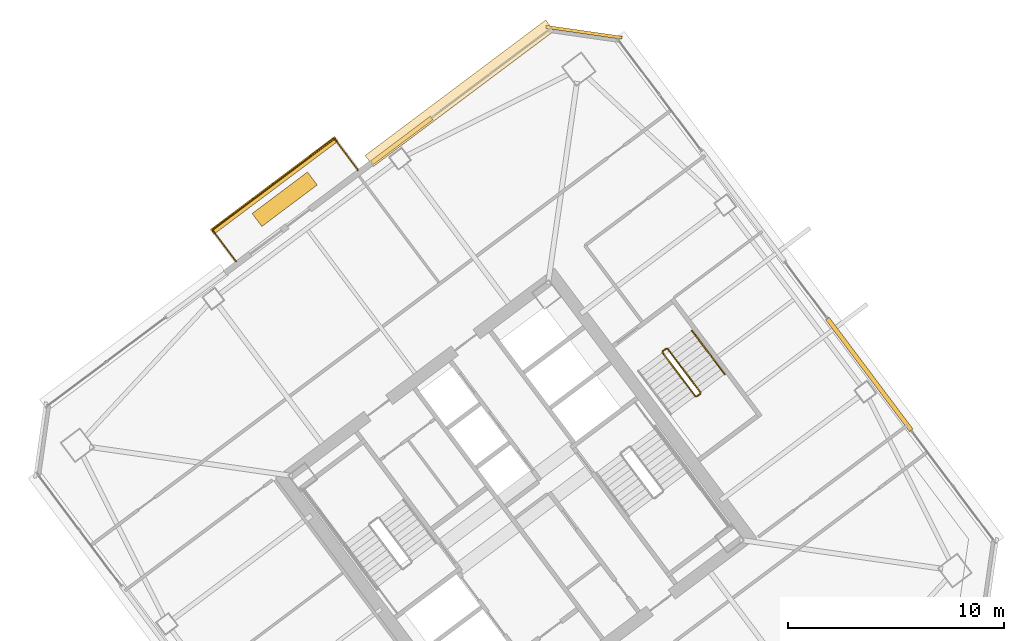
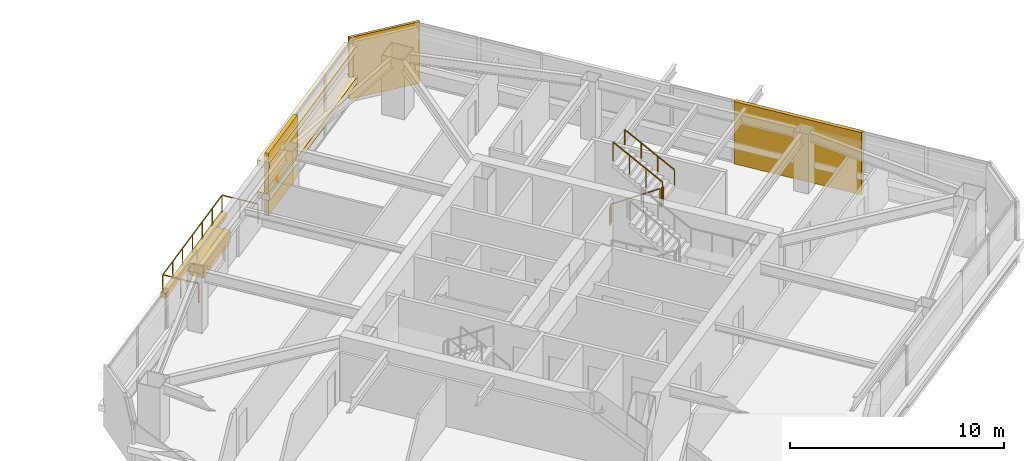
# One storey, part 43 of 44: 8 railings, 7 coverings.
"""IFC4 building model written with IfcOpenShell, lengths in metres."""

from ifc_helpers import new_model, si_unit, direction, frame, origin, origin_2d, place, context, subcontext, project, spatial, rectangle, extrude, material, layer, layer_set, type_object, element, save


model = new_model("IFC4")

# Units and contexts
model_context = context("Model", 3, precision=1e-05, world=origin(), true_north=direction((0.0, 1.0)))
body_context = subcontext(model_context, "Body", "Model", "MODEL_VIEW")
ifc_project = project(units=[si_unit("LENGTHUNIT", "METRE"), si_unit("AREAUNIT", "SQUARE_METRE"), si_unit("VOLUMEUNIT", "CUBIC_METRE"), si_unit("PLANEANGLEUNIT", "RADIAN"), si_unit("MASSUNIT", "GRAM", prefix="KILO")], contexts=[model_context])

# Site, building, storey
site_placement = place(None, origin())
site = spatial("IfcSite", under=ifc_project, at=site_placement, CompositionType="ELEMENT")
building_placement = place(site_placement, origin())
building = spatial("IfcBuilding", under=site, at=building_placement, Name="Tashvorn Skyway Center", CompositionType="ELEMENT")
storey_placement = place(building_placement, frame((0.0, 0.0, 181.85009765625)))
storey = spatial("IfcBuildingStorey", under=building, at=storey_placement, Name="L49", CompositionType="ELEMENT", Elevation=181.85009765625)

# Coverings
ifc_material_1 = material(Name="Precast concrete C40/50", Category="concrete")
ifc_layer_1 = layer(ifc_material_1, 0.199951171875)
ifc_layer_set_1 = layer_set([ifc_layer_1], Name="Precast concrete C40/50")
covering_type_1 = type_object("IfcCoveringType", Name="COV-BRACE-CLAD", PredefinedType="CLADDING", material=ifc_layer_set_1)
covering_1_placement = place(storey_placement, frame((108.709228515625, 49.007080078125, 0.0), z_axis=(0.0, 0.0, 1.0), x_axis=(0.799999996291, 0.600000004945, 0.0)))
element("IfcCovering", 1, at=covering_1_placement, inside=storey, type_object=covering_type_1, Name="Tower 2 L49 North Curtain Wall R Mega-Brace Cladding Band 1", PredefinedType="CLADDING", context=body_context, shape_type="SweptSolid", body=[
    extrude(rectangle(XDim=3.443359375, YDim=0.199951171875, at=origin_2d()), origin(), (0.0, 0.0, 1.0), 3.550048828125),
])
covering_2_placement = place(storey_placement, frame((130.340087890625, 38.179931640625, 0.0), z_axis=(0.0, 0.0, 1.0), x_axis=(0.600000004945, -0.799999996291, 0.0)))
element("IfcCovering", 2, at=covering_2_placement, inside=storey, type_object=covering_type_1, Name="Tower 2 L49 East Unitised Curtain Wall Mega-Brace Cladding Band 2", PredefinedType="CLADDING", context=body_context, shape_type="SweptSolid", body=[
    extrude(rectangle(XDim=6.47998046875, YDim=0.199951171875, at=origin_2d()), origin(), (0.0, 0.0, 1.0), 3.550048828125),
])
ifc_material_2 = material(Name="Perforated ceramic-coated bronze aluminium solar screen", Category="aluminium")
ifc_layer_2 = layer(ifc_material_2, 0.85009765625)
ifc_layer_set_2 = layer_set([ifc_layer_2], Name="Perforated ceramic-coated bronze aluminium solar screen")
covering_type_2 = type_object("IfcCoveringType", Name="COV-SOLAR-BAND", PredefinedType="CLADDING", material=ifc_layer_set_2)
for number, where, z_axis, x_axis, name in (
    (3, (111.3798828125, 51.18505859375, 0.919921875), (0.0, 0.0, 1.0), (0.799999996291, 0.600000004945, 0.0), "L49 Perforated Ceramic-Metal Solar Screen Louvre Band North 1"),
    (4, (111.3798828125, 51.18505859375, 2.7197265625), (0.0, 0.0, 1.0), (0.799999996291, 0.600000004945, 0.0), "L49 Perforated Ceramic-Metal Solar Screen Louvre Band North 2"),
):
    element("IfcCovering", number, at=place(storey_placement, frame(where, z_axis=z_axis, x_axis=x_axis)), inside=storey, type_object=covering_type_2, Name=name, PredefinedType="CLADDING", context=body_context, shape_type="SweptSolid", body=[
        extrude(rectangle(XDim=10.449951171875, YDim=0.639892578125, at=origin_2d()), origin(), (0.0, 0.0, 1.0), 0.360107421875),
    ])
ifc_layer_3 = layer(ifc_material_1, 0.35009765625)
ifc_layer_set_3 = layer_set([ifc_layer_3], Name="Precast concrete C40/50")
covering_type_3 = type_object("IfcCoveringType", Name="COV-STONE-TRIM", PredefinedType="CLADDING", material=ifc_layer_set_3)
covering_3_placement = place(storey_placement, frame((102.803955078125, 46.927978515625, -0.16015625), z_axis=(0.0, 0.0, 1.0), x_axis=(0.799999996291, 0.600000004945, 0.0)))
element("IfcCovering", 5, at=covering_3_placement, inside=storey, type_object=covering_type_3, Name="Tower 2 L49 Spiral Terrace Terracotta Fascia", PredefinedType="CLADDING", context=body_context, shape_type="SweptSolid", body=[
    extrude(rectangle(XDim=7.199951171875, YDim=0.280029296875, at=origin_2d()), origin(), (0.0, 0.0, 1.0), 0.280029296875),
])
covering_4_placement = place(storey_placement, frame((103.2900390625, 46.280029296875, 0.0), z_axis=(0.0, 0.0, 1.0), x_axis=(0.799999996291, 0.600000004945, 0.0)))
element("IfcCovering", 6, at=covering_4_placement, inside=storey, type_object=covering_type_3, Name="Tower 2 L49 Spiral Terrace Planter", PredefinedType="CLADDING", context=body_context, shape_type="SweptSolid", body=[
    extrude(rectangle(XDim=3.199951171875, YDim=0.75, at=origin_2d()), origin(), (0.0, 0.0, 1.0), 0.679931640625),
])
covering_5_placement = place(storey_placement, frame((117.14404296875, 54.008056640625, 0.02001953125), z_axis=(0.0, 0.0, 1.0), x_axis=(0.989949494535, -0.141421350118, 0.0)))
element("IfcCovering", 7, at=covering_5_placement, inside=storey, type_object=covering_type_3, Name="Tower 2 L49 NE Mojave Limestone Corner Quoin", PredefinedType="CLADDING", context=body_context, shape_type="SweptSolid", body=[
    extrude(rectangle(XDim=3.55419921875, YDim=0.139892578125, at=origin_2d()), origin(), (0.0, 0.0, 1.0), 3.510009765625),
])

# Railings
ifc_material_3 = material(Name="Galvanized steel S355", Category="steel")
railing_type_1 = type_object("IfcRailingType", Name="RAIL-GUARD-1120", PredefinedType="GUARDRAIL", material=ifc_material_3)
railing_1_placement = place(storey_placement, frame((101.0439453125, 43.407958984375, 0.0)))
element("IfcRailing", 8, at=railing_1_placement, inside=storey, type_object=railing_type_1, Name="L49 Tower 2 Terrace Guardrail 01", PredefinedType="GUARDRAIL", context=body_context, shape_type="SweptSolid", body=[
    extrude(rectangle(XDim=0.048095703125, YDim=0.048095703125, at=origin_2d()), frame((0.0, 0.0, 1.09619140625), z_axis=(-0.6, 0.8, 0.0), x_axis=(-0.8, -0.6, 0.0)), (0.0, 0.0, 1.0), 1.820068359375),
    extrude(rectangle(XDim=0.0419921875, YDim=0.0419921875, at=origin_2d()), origin(), (0.0, 0.0, 1.0), 1.072021484375),
    extrude(rectangle(XDim=0.0419921875, YDim=0.0419921875, at=origin_2d()), frame((-0.5458984375, 0.72802734375, 0.0)), (0.0, 0.0, 1.0), 1.072021484375),
    extrude(rectangle(XDim=0.0419921875, YDim=0.0419921875, at=origin_2d()), frame((-1.092041015625, 1.4560546875, 0.0)), (0.0, 0.0, 1.0), 1.072021484375),
])
railing_2_placement = place(storey_placement, frame((99.951904296875, 44.864013671875, 0.0)))
element("IfcRailing", 9, at=railing_2_placement, inside=storey, type_object=railing_type_1, Name="L49 Tower 2 Terrace Guardrail 02", PredefinedType="GUARDRAIL", context=body_context, shape_type="SweptSolid", body=[
    extrude(rectangle(XDim=0.048095703125, YDim=0.048095703125, at=origin_2d()), frame((0.0, 0.0, 1.09619140625), z_axis=(0.800012484308, 0.599983353895, 0.0), x_axis=(-0.599983353895, 0.800012484308, 0.0)), (0.0, 0.0, 1.0), 7.0400390625),
    extrude(rectangle(XDim=0.0419921875, YDim=0.0419921875, at=origin_2d()), origin(), (0.0, 0.0, 1.0), 1.072021484375),
    extrude(rectangle(XDim=0.0419921875, YDim=0.0419921875, at=origin_2d()), frame((0.938720703125, 0.7041015625, 0.0)), (0.0, 0.0, 1.0), 1.072021484375),
    extrude(rectangle(XDim=0.0419921875, YDim=0.0419921875, at=origin_2d()), frame((1.87744140625, 1.407958984375, 0.0)), (0.0, 0.0, 1.0), 1.072021484375),
    extrude(rectangle(XDim=0.0419921875, YDim=0.0419921875, at=origin_2d()), frame((2.81591796875, 2.11181640625, 0.0)), (0.0, 0.0, 1.0), 1.072021484375),
    extrude(rectangle(XDim=0.0419921875, YDim=0.0419921875, at=origin_2d()), frame((3.754638671875, 2.81591796875, 0.0)), (0.0, 0.0, 1.0), 1.072021484375),
    extrude(rectangle(XDim=0.0419921875, YDim=0.0419921875, at=origin_2d()), frame((4.693359375, 3.52001953125, 0.0)), (0.0, 0.0, 1.0), 1.072021484375),
    extrude(rectangle(XDim=0.0419921875, YDim=0.0419921875, at=origin_2d()), frame((5.632080078125, 4.223876953125, 0.0)), (0.0, 0.0, 1.0), 1.072021484375),
])
railing_3_placement = place(storey_placement, frame((105.583984375, 49.087890625, 0.0)))
element("IfcRailing", 10, at=railing_3_placement, inside=storey, type_object=railing_type_1, Name="L49 Tower 2 Terrace Guardrail 03", PredefinedType="GUARDRAIL", context=body_context, shape_type="SweptSolid", body=[
    extrude(rectangle(XDim=0.048095703125, YDim=0.048095703125, at=origin_2d()), frame((0.0, 0.0, 1.09619140625), z_axis=(0.600064391284, -0.799951702488, 0.0), x_axis=(0.799951702488, 0.600064391284, 0.0)), (0.0, 0.0, 1.0), 1.81982421875),
    extrude(rectangle(XDim=0.0419921875, YDim=0.0419921875, at=origin_2d()), origin(), (0.0, 0.0, 1.0), 1.072021484375),
    extrude(rectangle(XDim=0.0419921875, YDim=0.0419921875, at=origin_2d()), frame((0.5458984375, -0.72802734375, 0.0)), (0.0, 0.0, 1.0), 1.072021484375),
    extrude(rectangle(XDim=0.0419921875, YDim=0.0419921875, at=origin_2d()), frame((1.092041015625, -1.455810546875, 0.0)), (0.0, 0.0, 1.0), 1.072021484375),
])
ifc_material_4 = material(Name="Brushed stainless steel 316", Category="steel")
railing_type_2 = type_object("IfcRailingType", Name="RAIL-HAND-920", PredefinedType="HANDRAIL", material=ifc_material_4)
railing_4_placement = place(storey_placement, frame((123.64794921875, 38.18603515625, 1.952392578125)))
element("IfcRailing", 11, at=railing_4_placement, inside=storey, type_object=railing_type_2, Name="L49 ST-T2-3 stair handrail 2", PredefinedType="HANDRAIL", context=body_context, shape_type="SweptSolid", body=[
    extrude(rectangle(XDim=0.048095703125, YDim=0.048095703125, at=origin_2d()), frame((0.0, 0.0, 0.8759765625), z_axis=(-0.506768818287, 0.675664481285, 0.535409071218), x_axis=(-0.79998837352, -0.60001550166, 0.0)), (0.0, 0.0, 1.0), 2.983642578125),
    extrude(rectangle(XDim=0.0419921875, YDim=0.0419921875, at=origin_2d()), origin(), (0.0, 0.0, 1.0), 0.851806640625),
    extrude(rectangle(XDim=0.0419921875, YDim=0.0419921875, at=origin_2d()), frame((-0.50390625, 0.671875, 0.532470703125)), (0.0, 0.0, 1.0), 0.851806640625),
    extrude(rectangle(XDim=0.0419921875, YDim=0.0419921875, at=origin_2d()), frame((-1.008056640625, 1.343994140625, 1.06494140625)), (0.0, 0.0, 1.0), 0.851806640625),
    extrude(rectangle(XDim=0.0419921875, YDim=0.0419921875, at=origin_2d()), frame((-1.511962890625, 2.015869140625, 1.597412109375)), (0.0, 0.0, 1.0), 0.851806640625),
])
ifc_material_5 = material(Name="Painted galvanized steel S355", Category="steel")
railing_type_3 = type_object("IfcRailingType", Name="RAIL-STGUARD-1100", PredefinedType="GUARDRAIL", material=ifc_material_5)
railing_5_placement = place(storey_placement, frame((120.77587890625, 39.181884765625, 0.177490234375)))
element("IfcRailing", 12, at=railing_5_placement, inside=storey, type_object=railing_type_3, Name="L49 ST-T2-3 stair guard 1", PredefinedType="GUARDRAIL", context=body_context, shape_type="SweptSolid", body=[
    extrude(rectangle(XDim=0.048095703125, YDim=0.048095703125, at=origin_2d()), frame((0.0, 0.0, 1.076171875), z_axis=(0.506829628838, -0.67563646195, 0.535386868177), x_axis=(0.799941867976, 0.600077501544, 0.0)), (0.0, 0.0, 1.0), 2.983642578125),
    extrude(rectangle(XDim=0.0419921875, YDim=0.0419921875, at=origin_2d()), origin(), (0.0, 0.0, 1.0), 1.052001953125),
    extrude(rectangle(XDim=0.0419921875, YDim=0.0419921875, at=origin_2d()), frame((0.504150390625, -0.671875, 0.532470703125)), (0.0, 0.0, 1.0), 1.052001953125),
    extrude(rectangle(XDim=0.0419921875, YDim=0.0419921875, at=origin_2d()), frame((1.008056640625, -1.343994140625, 1.06494140625)), (0.0, 0.0, 1.0), 1.052001953125),
    extrude(rectangle(XDim=0.0419921875, YDim=0.0419921875, at=origin_2d()), frame((1.51220703125, -2.015869140625, 1.597412109375)), (0.0, 0.0, 1.0), 1.052001953125),
])
railing_6_placement = place(storey_placement, frame((122.35791015625, 37.156005859375, 1.77490234375)))
element("IfcRailing", 13, at=railing_6_placement, inside=storey, type_object=railing_type_3, Name="L49 ST-T2-3 stair guard 2", PredefinedType="GUARDRAIL", context=body_context, shape_type="SweptSolid", body=[
    extrude(rectangle(XDim=0.048095703125, YDim=0.048095703125, at=origin_2d()), frame((0.0, 0.0, 1.076171875), z_axis=(0.800585412921, 0.599218655098, 0.0), x_axis=(-0.599218655098, 0.800585412921, 0.0)), (0.0, 0.0, 1.0), 0.199951171875),
    extrude(rectangle(XDim=0.0419921875, YDim=0.0419921875, at=origin_2d()), origin(), (0.0, 0.0, 1.0), 1.052001953125),
    extrude(rectangle(XDim=0.0419921875, YDim=0.0419921875, at=origin_2d()), frame((0.16015625, 0.119873046875, 0.0)), (0.0, 0.0, 1.0), 1.052001953125),
])
railing_7_placement = place(storey_placement, frame((122.528076171875, 37.345947265625, 1.952392578125)))
element("IfcRailing", 14, at=railing_7_placement, inside=storey, type_object=railing_type_3, Name="L49 ST-T2-3 stair guard 3", PredefinedType="GUARDRAIL", context=body_context, shape_type="SweptSolid", body=[
    extrude(rectangle(XDim=0.048095703125, YDim=0.048095703125, at=origin_2d()), frame((0.0, 0.0, 1.076171875), z_axis=(-0.506740800098, 0.675708949977, 0.535379469569), x_axis=(-0.800023250257, -0.599968998406, 0.0)), (0.0, 0.0, 1.0), 2.983642578125),
    extrude(rectangle(XDim=0.0419921875, YDim=0.0419921875, at=origin_2d()), origin(), (0.0, 0.0, 1.0), 1.052001953125),
    extrude(rectangle(XDim=0.0419921875, YDim=0.0419921875, at=origin_2d()), frame((-0.50390625, 0.672119140625, 0.532470703125)), (0.0, 0.0, 1.0), 1.052001953125),
    extrude(rectangle(XDim=0.0419921875, YDim=0.0419921875, at=origin_2d()), frame((-1.008056640625, 1.343994140625, 1.06494140625)), (0.0, 0.0, 1.0), 1.052001953125),
    extrude(rectangle(XDim=0.0419921875, YDim=0.0419921875, at=origin_2d()), frame((-1.511962890625, 2.01611328125, 1.597412109375)), (0.0, 0.0, 1.0), 1.052001953125),
])
railing_8_placement = place(storey_placement, frame((120.785888671875, 39.251953125, 0.0)))
element("IfcRailing", 15, at=railing_8_placement, inside=storey, type_object=railing_type_3, Name="L49 ST-T2-3 stair guard 4", PredefinedType="GUARDRAIL", context=body_context, shape_type="SweptSolid", body=[
    extrude(rectangle(XDim=0.048095703125, YDim=0.048095703125, at=origin_2d()), frame((0.0, 0.0, 1.076171875), z_axis=(0.8, 0.6, 0.0), x_axis=(-0.6, 0.8, 0.0)), (0.0, 0.0, 1.0), 0.2001953125),
    extrude(rectangle(XDim=0.0419921875, YDim=0.0419921875, at=origin_2d()), origin(), (0.0, 0.0, 1.0), 1.052001953125),
    extrude(rectangle(XDim=0.0419921875, YDim=0.0419921875, at=origin_2d()), frame((0.16015625, 0.1201171875, 0.0)), (0.0, 0.0, 1.0), 1.052001953125),
])

save(model, "model.ifc")
